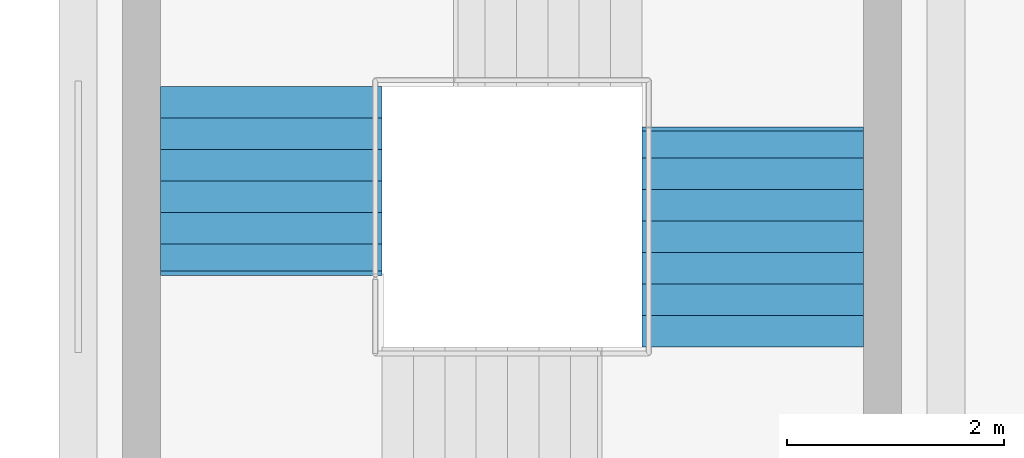
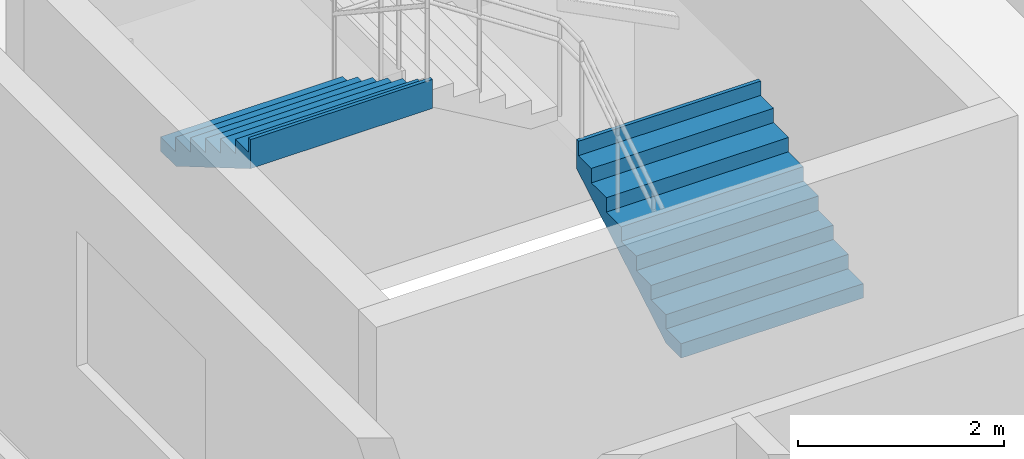
# One storey, part 55 of 58: 2 stair flights, 1 element without a shape of its own.
"""IFC4 building model written with IfcOpenShell, lengths in metres."""

from ifc_helpers import new_model, si_unit, direction, frame, origin, place, context, subcontext, project, spatial, triangles, material, type_object, element, aggregate, save


model = new_model("IFC4")

# Units and contexts
model_context = context("Model", 3, precision=1e-05, world=origin(), true_north=direction((0.0, 1.0)))
body_context = subcontext(model_context, "Body", "Model", "MODEL_VIEW")
ifc_project = project(units=[si_unit("LENGTHUNIT", "METRE"), si_unit("AREAUNIT", "SQUARE_METRE"), si_unit("VOLUMEUNIT", "CUBIC_METRE"), si_unit("PLANEANGLEUNIT", "RADIAN"), si_unit("MASSUNIT", "GRAM", prefix="KILO")], contexts=[model_context])

# Site, building, storey
site_placement = place(None, origin())
site = spatial("IfcSite", under=ifc_project, at=site_placement, CompositionType="ELEMENT")
building_placement = place(site_placement, origin())
building = spatial("IfcBuilding", under=site, at=building_placement, Name="Sillaruma Civic Art Gallery", CompositionType="ELEMENT")
storey_placement = place(building_placement, frame((0.0, 0.0, 52.02001953125)))
storey = spatial("IfcBuildingStorey", under=building, at=storey_placement, Name="L10", CompositionType="ELEMENT", Elevation=52.02001953125)

# Stair, stair flights
ifc_material = material(Name="Concrete H35 (35 MPa)", Category="concrete")
stair_type = type_object("IfcStairType", Name="STR-4F-30", PredefinedType="USERDEFINED", material=ifc_material)
stair_placement = place(storey_placement, origin())
stair = element("IfcStair", 1, at=stair_placement, inside=storey, type_object=stair_type, Name="Protected Exit Stair ST-02 (West Bar North) (L10)", ObjectType="THREE_RETURN_STAIR", PredefinedType="USERDEFINED")
stair_flight_type_1 = type_object("IfcStairFlightType", Name="SFL-STR-7", PredefinedType="STRAIGHT", material=ifc_material)
stair_flight_1_placement = place(storey_placement, frame((63.780029296875, 85.35009765625, 3.909912109375), z_axis=(0.0, 0.0, 1.0), x_axis=(0.0, -1.0, 0.0)))
stair_flight_1 = element("IfcStairFlight", 2, at=stair_flight_1_placement, type_object=stair_flight_type_1, Name="ST-02 flight 4", NumberOfRisers=7, NumberOfTreads=6, PredefinedType="STRAIGHT", RiserHeight=0.17, TreadLength=0.29, context=body_context, shape_type="Tessellation", body=[
    triangles([(0.0, -1.02001953125, 0.0), (0.29, -1.02001953125, 0.0), (0.296404, -1.02001953125, 0.0), (0.58, -1.02001953125, 0.166246), (0.87, -1.02001953125, 0.336246), (1.16, -1.02001953125, 0.506246), (1.45, -1.02001953125, 0.676246), (1.69999, -1.02001953125, 0.822792), (1.73999, -1.02001953125, 0.84624), (1.73999, -1.02001953125, 1.19), (1.69999, -1.02001953125, 1.19), (1.69999, -1.02001953125, 1.02), (1.45, -1.02001953125, 1.02), (1.45, -1.02001953125, 0.85), (1.16, -1.02001953125, 0.85), (1.16, -1.02001953125, 0.68), (0.87, -1.02001953125, 0.68), (0.87, -1.02001953125, 0.51), (0.58, -1.02001953125, 0.51), (0.58, -1.02001953125, 0.34), (0.296404, -1.02001953125, 0.34), (0.29, -1.02001953125, 0.34), (0.29, -1.02001953125, 0.17), (0.0, -1.02001953125, 0.17), (0.0, -0.05, 0.0), (0.29, -0.05, 0.0), (0.296404, -0.05, 0.0), (0.58, -0.05, 0.166246), (0.87, -0.05, 0.336246), (1.16, -0.05, 0.506246), (1.45, -0.05, 0.676246), (1.69999, -0.05, 0.822792), (1.73999, -0.05, 0.84624), (1.73999, -0.05, 1.19), (1.69999, -0.05, 1.19), (1.69999, -0.05, 1.02), (1.45, -0.05, 1.02), (1.45, -0.05, 0.85), (1.16, -0.05, 0.85), (1.16, -0.05, 0.68), (0.87, -0.05, 0.68), (0.87, -0.05, 0.51), (0.58, -0.05, 0.51), (0.58, -0.05, 0.34), (0.296404, -0.05, 0.34), (0.29, -0.05, 0.34), (0.29, -0.05, 0.17), (0.0, -0.05, 0.17), (0.0, -0.0375, 0.0), (0.29, -0.0375, 0.0), (0.296404, -0.0375, 0.0), (0.58, -0.0375, 0.166246), (0.87, -0.0375, 0.336246), (1.16, -0.0375, 0.506246), (1.45, -0.0375, 0.676246), (1.69999, -0.0375, 0.822792), (1.73999, -0.0375, 0.84624), (1.73999, -0.0375, 1.19), (1.69999, -0.0375, 1.19), (1.69999, -0.0375, 1.02), (1.45, -0.0375, 1.02), (1.45, -0.0375, 0.85), (1.16, -0.0375, 0.85), (1.16, -0.0375, 0.68), (0.87, -0.0375, 0.68), (0.87, -0.0375, 0.51), (0.58, -0.0375, 0.51), (0.58, -0.0375, 0.34), (0.296404, -0.0375, 0.34), (0.29, -0.0375, 0.34), (0.29, -0.0375, 0.17), (0.0, -0.0375, 0.17), (0.0, -0.025, 0.0), (0.29, -0.025, 0.0), (0.296404, -0.025, 0.0), (0.58, -0.025, 0.166246), (0.87, -0.025, 0.336246), (1.16, -0.025, 0.506246), (1.45, -0.025, 0.676246), (1.69999, -0.025, 0.822792), (1.73999, -0.025, 0.84624), (1.73999, -0.025, 1.19), (1.69999, -0.025, 1.19), (1.69999, -0.025, 1.02), (1.45, -0.025, 1.02), (1.45, -0.025, 0.85), (1.16, -0.025, 0.85), (1.16, -0.025, 0.68), (0.87, -0.025, 0.68), (0.87, -0.025, 0.51), (0.58, -0.025, 0.51), (0.58, -0.025, 0.34), (0.296404, -0.025, 0.34), (0.29, -0.025, 0.34), (0.29, -0.025, 0.17), (0.0, -0.025, 0.17), (0.0, -0.0125, 0.0), (0.29, -0.0125, 0.0), (0.296404, -0.0125, 0.0), (0.58, -0.0125, 0.166246), (0.87, -0.0125, 0.336246), (1.16, -0.0125, 0.506246), (1.45, -0.0125, 0.676246), (1.69999, -0.0125, 0.822792), (1.73999, -0.0125, 0.84624), (1.73999, -0.0125, 1.19), (1.69999, -0.0125, 1.19), (1.69999, -0.0125, 1.02), (1.45, -0.0125, 1.02), (1.45, -0.0125, 0.85), (1.16, -0.0125, 0.85), (1.16, -0.0125, 0.68), (0.87, -0.0125, 0.68), (0.87, -0.0125, 0.51), (0.58, -0.0125, 0.51), (0.58, -0.0125, 0.34), (0.296404, -0.0125, 0.34), (0.29, -0.0125, 0.34), (0.29, -0.0125, 0.17), (0.0, -0.0125, 0.17), (0.0, 0.0, 0.0), (0.29, 0.0, 0.0), (0.296404, 0.0, 0.0), (0.58, 0.0, 0.166246), (0.87, 0.0, 0.336246), (1.16, 0.0, 0.506246), (1.45, 0.0, 0.676246), (1.69999, 0.0, 0.822792), (1.73999, 0.0, 0.84624), (1.73999, 0.0, 1.19), (1.69999, 0.0, 1.19), (1.69999, 0.0, 1.02), (1.45, 0.0, 1.02), (1.45, 0.0, 0.85), (1.16, 0.0, 0.85), (1.16, 0.0, 0.68), (0.87, 0.0, 0.68), (0.87, 0.0, 0.51), (0.58, 0.0, 0.51), (0.58, 0.0, 0.34), (0.296404, 0.0, 0.34), (0.29, 0.0, 0.34), (0.29, 0.0, 0.17), (0.0, 0.0, 0.17), (0.0, 0.0125, 0.0), (0.29, 0.0125, 0.0), (0.296404, 0.0125, 0.0), (0.58, 0.0125, 0.166246), (0.87, 0.0125, 0.336246), (1.16, 0.0125, 0.506246), (1.45, 0.0125, 0.676246), (1.69999, 0.0125, 0.822792), (1.73999, 0.0125, 0.84624), (1.73999, 0.0125, 1.19), (1.69999, 0.0125, 1.19), (1.69999, 0.0125, 1.02), (1.45, 0.0125, 1.02), (1.45, 0.0125, 0.85), (1.16, 0.0125, 0.85), (1.16, 0.0125, 0.68), (0.87, 0.0125, 0.68), (0.87, 0.0125, 0.51), (0.58, 0.0125, 0.51), (0.58, 0.0125, 0.34), (0.296404, 0.0125, 0.34), (0.29, 0.0125, 0.34), (0.29, 0.0125, 0.17), (0.0, 0.0125, 0.17), (0.0, 0.025, 0.0), (0.29, 0.025, 0.0), (0.296404, 0.025, 0.0), (0.58, 0.025, 0.166246), (0.87, 0.025, 0.336246), (1.16, 0.025, 0.506246), (1.45, 0.025, 0.676246), (1.69999, 0.025, 0.822792), (1.73999, 0.025, 0.84624), (1.73999, 0.025, 1.19), (1.69999, 0.025, 1.19), (1.69999, 0.025, 1.02), (1.45, 0.025, 1.02), (1.45, 0.025, 0.85), (1.16, 0.025, 0.85), (1.16, 0.025, 0.68), (0.87, 0.025, 0.68), (0.87, 0.025, 0.51), (0.58, 0.025, 0.51), (0.58, 0.025, 0.34), (0.296404, 0.025, 0.34), (0.29, 0.025, 0.34), (0.29, 0.025, 0.17), (0.0, 0.025, 0.17), (0.0, 0.0375, 0.0), (0.29, 0.0375, 0.0), (0.296404, 0.0375, 0.0), (0.58, 0.0375, 0.166246), (0.87, 0.0375, 0.336246), (1.16, 0.0375, 0.506246), (1.45, 0.0375, 0.676246), (1.69999, 0.0375, 0.822792), (1.73999, 0.0375, 0.84624), (1.73999, 0.0375, 1.19), (1.69999, 0.0375, 1.19), (1.69999, 0.0375, 1.02), (1.45, 0.0375, 1.02), (1.45, 0.0375, 0.85), (1.16, 0.0375, 0.85), (1.16, 0.0375, 0.68), (0.87, 0.0375, 0.68), (0.87, 0.0375, 0.51), (0.58, 0.0375, 0.51), (0.58, 0.0375, 0.34), (0.296404, 0.0375, 0.34), (0.29, 0.0375, 0.34), (0.29, 0.0375, 0.17), (0.0, 0.0375, 0.17), (0.0, 0.05, 0.0), (0.29, 0.05, 0.0), (0.296404, 0.05, 0.0), (0.58, 0.05, 0.166246), (0.87, 0.05, 0.336246), (1.16, 0.05, 0.506246), (1.45, 0.05, 0.676246), (1.69999, 0.05, 0.822792), (1.73999, 0.05, 0.84624), (1.73999, 0.05, 1.19), (1.69999, 0.05, 1.19), (1.69999, 0.05, 1.02), (1.45, 0.05, 1.02), (1.45, 0.05, 0.85), (1.16, 0.05, 0.85), (1.16, 0.05, 0.68), (0.87, 0.05, 0.68), (0.87, 0.05, 0.51), (0.58, 0.05, 0.51), (0.58, 0.05, 0.34), (0.296404, 0.05, 0.34), (0.29, 0.05, 0.34), (0.29, 0.05, 0.17), (0.0, 0.05, 0.17), (0.0, 1.02001953125, 0.0), (0.29, 1.02001953125, 0.0), (0.296404, 1.02001953125, 0.0), (0.58, 1.02001953125, 0.166246), (0.87, 1.02001953125, 0.336246), (1.16, 1.02001953125, 0.506246), (1.45, 1.02001953125, 0.676246), (1.69999, 1.02001953125, 0.822792), (1.73999, 1.02001953125, 0.84624), (1.73999, 1.02001953125, 1.19), (1.69999, 1.02001953125, 1.19), (1.69999, 1.02001953125, 1.02), (1.45, 1.02001953125, 1.02), (1.45, 1.02001953125, 0.85), (1.16, 1.02001953125, 0.85), (1.16, 1.02001953125, 0.68), (0.87, 1.02001953125, 0.68), (0.87, 1.02001953125, 0.51), (0.58, 1.02001953125, 0.51), (0.58, 1.02001953125, 0.34), (0.296404, 1.02001953125, 0.34), (0.29, 1.02001953125, 0.34), (0.29, 1.02001953125, 0.17), (0.0, 1.02001953125, 0.17)], [[1, 2, 23], [1, 23, 24], [2, 3, 21], [2, 21, 23], [23, 21, 22], [3, 4, 20], [3, 20, 21], [4, 5, 18], [4, 18, 20], [20, 18, 19], [5, 6, 16], [5, 16, 18], [18, 16, 17], [6, 7, 14], [6, 14, 16], [16, 14, 15], [7, 8, 12], [7, 12, 14], [14, 12, 13], [8, 9, 10], [8, 10, 12], [12, 10, 11], [263, 242, 241], [264, 263, 241], [261, 243, 242], [263, 261, 242], [262, 261, 263], [260, 244, 243], [261, 260, 243], [258, 245, 244], [260, 258, 244], [259, 258, 260], [256, 246, 245], [258, 256, 245], [257, 256, 258], [254, 247, 246], [256, 254, 246], [255, 254, 256], [252, 248, 247], [254, 252, 247], [253, 252, 254], [250, 249, 248], [252, 250, 248], [251, 250, 252], [2, 1, 25], [2, 25, 26], [3, 2, 26], [3, 26, 27], [4, 3, 27], [4, 27, 28], [5, 4, 28], [5, 28, 29], [6, 5, 29], [6, 29, 30], [7, 6, 30], [7, 30, 31], [8, 7, 31], [8, 31, 32], [9, 8, 32], [9, 32, 33], [10, 9, 33], [10, 33, 34], [11, 10, 34], [11, 34, 35], [12, 11, 35], [12, 35, 36], [13, 12, 36], [13, 36, 37], [14, 13, 37], [14, 37, 38], [15, 14, 38], [15, 38, 39], [16, 15, 39], [16, 39, 40], [17, 16, 40], [17, 40, 41], [18, 17, 41], [18, 41, 42], [19, 18, 42], [19, 42, 43], [20, 19, 43], [20, 43, 44], [21, 20, 44], [21, 44, 45], [22, 21, 45], [22, 45, 46], [23, 22, 46], [23, 46, 47], [24, 23, 47], [24, 47, 48], [1, 24, 48], [1, 48, 25], [26, 25, 49], [26, 49, 50], [27, 26, 50], [27, 50, 51], [28, 27, 51], [28, 51, 52], [29, 28, 52], [29, 52, 53], [30, 29, 53], [30, 53, 54], [31, 30, 54], [31, 54, 55], [32, 31, 55], [32, 55, 56], [33, 32, 56], [33, 56, 57], [34, 33, 57], [34, 57, 58], [35, 34, 58], [35, 58, 59], [36, 35, 59], [36, 59, 60], [37, 36, 60], [37, 60, 61], [38, 37, 61], [38, 61, 62], [39, 38, 62], [39, 62, 63], [40, 39, 63], [40, 63, 64], [41, 40, 64], [41, 64, 65], [42, 41, 65], [42, 65, 66], [43, 42, 66], [43, 66, 67], [44, 43, 67], [44, 67, 68], [45, 44, 68], [45, 68, 69], [46, 45, 69], [46, 69, 70], [47, 46, 70], [47, 70, 71], [48, 47, 71], [48, 71, 72], [25, 48, 72], [25, 72, 49], [50, 49, 73], [50, 73, 74], [51, 50, 74], [51, 74, 75], [52, 51, 75], [52, 75, 76], [53, 52, 76], [53, 76, 77], [54, 53, 77], [54, 77, 78], [55, 54, 78], [55, 78, 79], [56, 55, 79], [56, 79, 80], [57, 56, 80], [57, 80, 81], [58, 57, 81], [58, 81, 82], [59, 58, 82], [59, 82, 83], [60, 59, 83], [60, 83, 84], [61, 60, 84], [61, 84, 85], [62, 61, 85], [62, 85, 86], [63, 62, 86], [63, 86, 87], [64, 63, 87], [64, 87, 88], [65, 64, 88], [65, 88, 89], [66, 65, 89], [66, 89, 90], [67, 66, 90], [67, 90, 91], [68, 67, 91], [68, 91, 92], [69, 68, 92], [69, 92, 93], [70, 69, 93], [70, 93, 94], [71, 70, 94], [71, 94, 95], [72, 71, 95], [72, 95, 96], [49, 72, 96], [49, 96, 73], [74, 73, 97], [74, 97, 98], [75, 74, 98], [75, 98, 99], [76, 75, 99], [76, 99, 100], [77, 76, 100], [77, 100, 101], [78, 77, 101], [78, 101, 102], [79, 78, 102], [79, 102, 103], [80, 79, 103], [80, 103, 104], [81, 80, 104], [81, 104, 105], [82, 81, 105], [82, 105, 106], [83, 82, 106], [83, 106, 107], [84, 83, 107], [84, 107, 108], [85, 84, 108], [85, 108, 109], [86, 85, 109], [86, 109, 110], [87, 86, 110], [87, 110, 111], [88, 87, 111], [88, 111, 112], [89, 88, 112], [89, 112, 113], [90, 89, 113], [90, 113, 114], [91, 90, 114], [91, 114, 115], [92, 91, 115], [92, 115, 116], [93, 92, 116], [93, 116, 117], [94, 93, 117], [94, 117, 118], [95, 94, 118], [95, 118, 119], [96, 95, 119], [96, 119, 120], [73, 96, 120], [73, 120, 97], [98, 97, 121], [98, 121, 122], [99, 98, 122], [99, 122, 123], [100, 99, 123], [100, 123, 124], [101, 100, 124], [101, 124, 125], [102, 101, 125], [102, 125, 126], [103, 102, 126], [103, 126, 127], [104, 103, 127], [104, 127, 128], [105, 104, 128], [105, 128, 129], [106, 105, 129], [106, 129, 130], [107, 106, 130], [107, 130, 131], [108, 107, 131], [108, 131, 132], [109, 108, 132], [109, 132, 133], [110, 109, 133], [110, 133, 134], [111, 110, 134], [111, 134, 135], [112, 111, 135], [112, 135, 136], [113, 112, 136], [113, 136, 137], [114, 113, 137], [114, 137, 138], [115, 114, 138], [115, 138, 139], [116, 115, 139], [116, 139, 140], [117, 116, 140], [117, 140, 141], [118, 117, 141], [118, 141, 142], [119, 118, 142], [119, 142, 143], [120, 119, 143], [120, 143, 144], [97, 120, 144], [97, 144, 121], [122, 121, 145], [122, 145, 146], [123, 122, 146], [123, 146, 147], [124, 123, 147], [124, 147, 148], [125, 124, 148], [125, 148, 149], [126, 125, 149], [126, 149, 150], [127, 126, 150], [127, 150, 151], [128, 127, 151], [128, 151, 152], [129, 128, 152], [129, 152, 153], [130, 129, 153], [130, 153, 154], [131, 130, 154], [131, 154, 155], [132, 131, 155], [132, 155, 156], [133, 132, 156], [133, 156, 157], [134, 133, 157], [134, 157, 158], [135, 134, 158], [135, 158, 159], [136, 135, 159], [136, 159, 160], [137, 136, 160], [137, 160, 161], [138, 137, 161], [138, 161, 162], [139, 138, 162], [139, 162, 163], [140, 139, 163], [140, 163, 164], [141, 140, 164], [141, 164, 165], [142, 141, 165], [142, 165, 166], [143, 142, 166], [143, 166, 167], [144, 143, 167], [144, 167, 168], [121, 144, 168], [121, 168, 145], [146, 145, 169], [146, 169, 170], [147, 146, 170], [147, 170, 171], [148, 147, 171], [148, 171, 172], [149, 148, 172], [149, 172, 173], [150, 149, 173], [150, 173, 174], [151, 150, 174], [151, 174, 175], [152, 151, 175], [152, 175, 176], [153, 152, 176], [153, 176, 177], [154, 153, 177], [154, 177, 178], [155, 154, 178], [155, 178, 179], [156, 155, 179], [156, 179, 180], [157, 156, 180], [157, 180, 181], [158, 157, 181], [158, 181, 182], [159, 158, 182], [159, 182, 183], [160, 159, 183], [160, 183, 184], [161, 160, 184], [161, 184, 185], [162, 161, 185], [162, 185, 186], [163, 162, 186], [163, 186, 187], [164, 163, 187], [164, 187, 188], [165, 164, 188], [165, 188, 189], [166, 165, 189], [166, 189, 190], [167, 166, 190], [167, 190, 191], [168, 167, 191], [168, 191, 192], [145, 168, 192], [145, 192, 169], [170, 169, 193], [170, 193, 194], [171, 170, 194], [171, 194, 195], [172, 171, 195], [172, 195, 196], [173, 172, 196], [173, 196, 197], [174, 173, 197], [174, 197, 198], [175, 174, 198], [175, 198, 199], [176, 175, 199], [176, 199, 200], [177, 176, 200], [177, 200, 201], [178, 177, 201], [178, 201, 202], [179, 178, 202], [179, 202, 203], [180, 179, 203], [180, 203, 204], [181, 180, 204], [181, 204, 205], [182, 181, 205], [182, 205, 206], [183, 182, 206], [183, 206, 207], [184, 183, 207], [184, 207, 208], [185, 184, 208], [185, 208, 209], [186, 185, 209], [186, 209, 210], [187, 186, 210], [187, 210, 211], [188, 187, 211], [188, 211, 212], [189, 188, 212], [189, 212, 213], [190, 189, 213], [190, 213, 214], [191, 190, 214], [191, 214, 215], [192, 191, 215], [192, 215, 216], [169, 192, 216], [169, 216, 193], [194, 193, 217], [194, 217, 218], [195, 194, 218], [195, 218, 219], [196, 195, 219], [196, 219, 220], [197, 196, 220], [197, 220, 221], [198, 197, 221], [198, 221, 222], [199, 198, 222], [199, 222, 223], [200, 199, 223], [200, 223, 224], [201, 200, 224], [201, 224, 225], [202, 201, 225], [202, 225, 226], [203, 202, 226], [203, 226, 227], [204, 203, 227], [204, 227, 228], [205, 204, 228], [205, 228, 229], [206, 205, 229], [206, 229, 230], [207, 206, 230], [207, 230, 231], [208, 207, 231], [208, 231, 232], [209, 208, 232], [209, 232, 233], [210, 209, 233], [210, 233, 234], [211, 210, 234], [211, 234, 235], [212, 211, 235], [212, 235, 236], [213, 212, 236], [213, 236, 237], [214, 213, 237], [214, 237, 238], [215, 214, 238], [215, 238, 239], [216, 215, 239], [216, 239, 240], [193, 216, 240], [193, 240, 217], [218, 217, 241], [218, 241, 242], [219, 218, 242], [219, 242, 243], [220, 219, 243], [220, 243, 244], [221, 220, 244], [221, 244, 245], [222, 221, 245], [222, 245, 246], [223, 222, 246], [223, 246, 247], [224, 223, 247], [224, 247, 248], [225, 224, 248], [225, 248, 249], [226, 225, 249], [226, 249, 250], [227, 226, 250], [227, 250, 251], [228, 227, 251], [228, 251, 252], [229, 228, 252], [229, 252, 253], [230, 229, 253], [230, 253, 254], [231, 230, 254], [231, 254, 255], [232, 231, 255], [232, 255, 256], [233, 232, 256], [233, 256, 257], [234, 233, 257], [234, 257, 258], [235, 234, 258], [235, 258, 259], [236, 235, 259], [236, 259, 260], [237, 236, 260], [237, 260, 261], [238, 237, 261], [238, 261, 262], [239, 238, 262], [239, 262, 263], [240, 239, 263], [240, 263, 264], [217, 240, 264], [217, 264, 241]], closed=True),
])
stair_flight_type_2 = type_object("IfcStairFlightType", Name="SFL-STR-8", PredefinedType="STRAIGHT", material=ifc_material)
stair_flight_2_placement = place(storey_placement, frame((68.219970703125, 82.949951171875, 1.35986328125), z_axis=(0.0, 0.0, 1.0), x_axis=(0.0, 1.0, 0.0)))
stair_flight_2 = element("IfcStairFlight", 3, at=stair_flight_2_placement, type_object=stair_flight_type_2, Name="ST-02 flight 2", NumberOfRisers=8, NumberOfTreads=7, PredefinedType="STRAIGHT", RiserHeight=0.17, TreadLength=0.29, context=body_context, shape_type="Tessellation", body=[
    triangles([(0.0, -1.02001953125, 0.0), (0.29, -1.02001953125, 0.0), (0.296443, -1.02001953125, 0.0), (0.58, -1.02001953125, 0.166223), (0.87, -1.02001953125, 0.336223), (1.16, -1.02001953125, 0.506223), (1.45, -1.02001953125, 0.676223), (1.74, -1.02001953125, 0.846223), (1.990029, -1.02001953125, 0.992792), (2.030029, -1.02001953125, 1.01624), (2.030029, -1.02001953125, 1.36), (1.990029, -1.02001953125, 1.36), (1.990029, -1.02001953125, 1.19), (1.74, -1.02001953125, 1.19), (1.74, -1.02001953125, 1.02), (1.45, -1.02001953125, 1.02), (1.45, -1.02001953125, 0.85), (1.16, -1.02001953125, 0.85), (1.16, -1.02001953125, 0.68), (0.87, -1.02001953125, 0.68), (0.87, -1.02001953125, 0.51), (0.58, -1.02001953125, 0.51), (0.58, -1.02001953125, 0.34), (0.296443, -1.02001953125, 0.34), (0.29, -1.02001953125, 0.34), (0.29, -1.02001953125, 0.17), (0.0, -1.02001953125, 0.17), (0.0, -0.05, 0.0), (0.29, -0.05, 0.0), (0.296443, -0.05, 0.0), (0.58, -0.05, 0.166223), (0.87, -0.05, 0.336223), (1.16, -0.05, 0.506223), (1.45, -0.05, 0.676223), (1.74, -0.05, 0.846223), (1.990029, -0.05, 0.992792), (2.030029, -0.05, 1.01624), (2.030029, -0.05, 1.36), (1.990029, -0.05, 1.36), (1.990029, -0.05, 1.19), (1.74, -0.05, 1.19), (1.74, -0.05, 1.02), (1.45, -0.05, 1.02), (1.45, -0.05, 0.85), (1.16, -0.05, 0.85), (1.16, -0.05, 0.68), (0.87, -0.05, 0.68), (0.87, -0.05, 0.51), (0.58, -0.05, 0.51), (0.58, -0.05, 0.34), (0.296443, -0.05, 0.34), (0.29, -0.05, 0.34), (0.29, -0.05, 0.17), (0.0, -0.05, 0.17), (0.0, -0.0375, 0.0), (0.29, -0.0375, 0.0), (0.296443, -0.0375, 0.0), (0.58, -0.0375, 0.166223), (0.87, -0.0375, 0.336223), (1.16, -0.0375, 0.506223), (1.45, -0.0375, 0.676223), (1.74, -0.0375, 0.846223), (1.990029, -0.0375, 0.992792), (2.030029, -0.0375, 1.01624), (2.030029, -0.0375, 1.36), (1.990029, -0.0375, 1.36), (1.990029, -0.0375, 1.19), (1.74, -0.0375, 1.19), (1.74, -0.0375, 1.02), (1.45, -0.0375, 1.02), (1.45, -0.0375, 0.85), (1.16, -0.0375, 0.85), (1.16, -0.0375, 0.68), (0.87, -0.0375, 0.68), (0.87, -0.0375, 0.51), (0.58, -0.0375, 0.51), (0.58, -0.0375, 0.34), (0.296443, -0.0375, 0.34), (0.29, -0.0375, 0.34), (0.29, -0.0375, 0.17), (0.0, -0.0375, 0.17), (0.0, -0.025, 0.0), (0.29, -0.025, 0.0), (0.296443, -0.025, 0.0), (0.58, -0.025, 0.166223), (0.87, -0.025, 0.336223), (1.16, -0.025, 0.506223), (1.45, -0.025, 0.676223), (1.74, -0.025, 0.846223), (1.990029, -0.025, 0.992792), (2.030029, -0.025, 1.01624), (2.030029, -0.025, 1.36), (1.990029, -0.025, 1.36), (1.990029, -0.025, 1.19), (1.74, -0.025, 1.19), (1.74, -0.025, 1.02), (1.45, -0.025, 1.02), (1.45, -0.025, 0.85), (1.16, -0.025, 0.85), (1.16, -0.025, 0.68), (0.87, -0.025, 0.68), (0.87, -0.025, 0.51), (0.58, -0.025, 0.51), (0.58, -0.025, 0.34), (0.296443, -0.025, 0.34), (0.29, -0.025, 0.34), (0.29, -0.025, 0.17), (0.0, -0.025, 0.17), (0.0, -0.0125, 0.0), (0.29, -0.0125, 0.0), (0.296443, -0.0125, 0.0), (0.58, -0.0125, 0.166223), (0.87, -0.0125, 0.336223), (1.16, -0.0125, 0.506223), (1.45, -0.0125, 0.676223), (1.74, -0.0125, 0.846223), (1.990029, -0.0125, 0.992792), (2.030029, -0.0125, 1.01624), (2.030029, -0.0125, 1.36), (1.990029, -0.0125, 1.36), (1.990029, -0.0125, 1.19), (1.74, -0.0125, 1.19), (1.74, -0.0125, 1.02), (1.45, -0.0125, 1.02), (1.45, -0.0125, 0.85), (1.16, -0.0125, 0.85), (1.16, -0.0125, 0.68), (0.87, -0.0125, 0.68), (0.87, -0.0125, 0.51), (0.58, -0.0125, 0.51), (0.58, -0.0125, 0.34), (0.296443, -0.0125, 0.34), (0.29, -0.0125, 0.34), (0.29, -0.0125, 0.17), (0.0, -0.0125, 0.17), (0.0, 0.0, 0.0), (0.29, 0.0, 0.0), (0.296443, 0.0, 0.0), (0.58, 0.0, 0.166223), (0.87, 0.0, 0.336223), (1.16, 0.0, 0.506223), (1.45, 0.0, 0.676223), (1.74, 0.0, 0.846223), (1.990029, 0.0, 0.992792), (2.030029, 0.0, 1.01624), (2.030029, 0.0, 1.36), (1.990029, 0.0, 1.36), (1.990029, 0.0, 1.19), (1.74, 0.0, 1.19), (1.74, 0.0, 1.02), (1.45, 0.0, 1.02), (1.45, 0.0, 0.85), (1.16, 0.0, 0.85), (1.16, 0.0, 0.68), (0.87, 0.0, 0.68), (0.87, 0.0, 0.51), (0.58, 0.0, 0.51), (0.58, 0.0, 0.34), (0.296443, 0.0, 0.34), (0.29, 0.0, 0.34), (0.29, 0.0, 0.17), (0.0, 0.0, 0.17), (0.0, 0.0125, 0.0), (0.29, 0.0125, 0.0), (0.296443, 0.0125, 0.0), (0.58, 0.0125, 0.166223), (0.87, 0.0125, 0.336223), (1.16, 0.0125, 0.506223), (1.45, 0.0125, 0.676223), (1.74, 0.0125, 0.846223), (1.990029, 0.0125, 0.992792), (2.030029, 0.0125, 1.01624), (2.030029, 0.0125, 1.36), (1.990029, 0.0125, 1.36), (1.990029, 0.0125, 1.19), (1.74, 0.0125, 1.19), (1.74, 0.0125, 1.02), (1.45, 0.0125, 1.02), (1.45, 0.0125, 0.85), (1.16, 0.0125, 0.85), (1.16, 0.0125, 0.68), (0.87, 0.0125, 0.68), (0.87, 0.0125, 0.51), (0.58, 0.0125, 0.51), (0.58, 0.0125, 0.34), (0.296443, 0.0125, 0.34), (0.29, 0.0125, 0.34), (0.29, 0.0125, 0.17), (0.0, 0.0125, 0.17), (0.0, 0.025, 0.0), (0.29, 0.025, 0.0), (0.296443, 0.025, 0.0), (0.58, 0.025, 0.166223), (0.87, 0.025, 0.336223), (1.16, 0.025, 0.506223), (1.45, 0.025, 0.676223), (1.74, 0.025, 0.846223), (1.990029, 0.025, 0.992792), (2.030029, 0.025, 1.01624), (2.030029, 0.025, 1.36), (1.990029, 0.025, 1.36), (1.990029, 0.025, 1.19), (1.74, 0.025, 1.19), (1.74, 0.025, 1.02), (1.45, 0.025, 1.02), (1.45, 0.025, 0.85), (1.16, 0.025, 0.85), (1.16, 0.025, 0.68), (0.87, 0.025, 0.68), (0.87, 0.025, 0.51), (0.58, 0.025, 0.51), (0.58, 0.025, 0.34), (0.296443, 0.025, 0.34), (0.29, 0.025, 0.34), (0.29, 0.025, 0.17), (0.0, 0.025, 0.17), (0.0, 0.0375, 0.0), (0.29, 0.0375, 0.0), (0.296443, 0.0375, 0.0), (0.58, 0.0375, 0.166223), (0.87, 0.0375, 0.336223), (1.16, 0.0375, 0.506223), (1.45, 0.0375, 0.676223), (1.74, 0.0375, 0.846223), (1.990029, 0.0375, 0.992792), (2.030029, 0.0375, 1.01624), (2.030029, 0.0375, 1.36), (1.990029, 0.0375, 1.36), (1.990029, 0.0375, 1.19), (1.74, 0.0375, 1.19), (1.74, 0.0375, 1.02), (1.45, 0.0375, 1.02), (1.45, 0.0375, 0.85), (1.16, 0.0375, 0.85), (1.16, 0.0375, 0.68), (0.87, 0.0375, 0.68), (0.87, 0.0375, 0.51), (0.58, 0.0375, 0.51), (0.58, 0.0375, 0.34), (0.296443, 0.0375, 0.34), (0.29, 0.0375, 0.34), (0.29, 0.0375, 0.17), (0.0, 0.0375, 0.17), (0.0, 0.05, 0.0), (0.29, 0.05, 0.0), (0.296443, 0.05, 0.0), (0.58, 0.05, 0.166223), (0.87, 0.05, 0.336223), (1.16, 0.05, 0.506223), (1.45, 0.05, 0.676223), (1.74, 0.05, 0.846223), (1.990029, 0.05, 0.992792), (2.030029, 0.05, 1.01624), (2.030029, 0.05, 1.36), (1.990029, 0.05, 1.36), (1.990029, 0.05, 1.19), (1.74, 0.05, 1.19), (1.74, 0.05, 1.02), (1.45, 0.05, 1.02), (1.45, 0.05, 0.85), (1.16, 0.05, 0.85), (1.16, 0.05, 0.68), (0.87, 0.05, 0.68), (0.87, 0.05, 0.51), (0.58, 0.05, 0.51), (0.58, 0.05, 0.34), (0.296443, 0.05, 0.34), (0.29, 0.05, 0.34), (0.29, 0.05, 0.17), (0.0, 0.05, 0.17), (0.0, 1.02001953125, 0.0), (0.29, 1.02001953125, 0.0), (0.296443, 1.02001953125, 0.0), (0.58, 1.02001953125, 0.166223), (0.87, 1.02001953125, 0.336223), (1.16, 1.02001953125, 0.506223), (1.45, 1.02001953125, 0.676223), (1.74, 1.02001953125, 0.846223), (1.990029, 1.02001953125, 0.992792), (2.030029, 1.02001953125, 1.01624), (2.030029, 1.02001953125, 1.36), (1.990029, 1.02001953125, 1.36), (1.990029, 1.02001953125, 1.19), (1.74, 1.02001953125, 1.19), (1.74, 1.02001953125, 1.02), (1.45, 1.02001953125, 1.02), (1.45, 1.02001953125, 0.85), (1.16, 1.02001953125, 0.85), (1.16, 1.02001953125, 0.68), (0.87, 1.02001953125, 0.68), (0.87, 1.02001953125, 0.51), (0.58, 1.02001953125, 0.51), (0.58, 1.02001953125, 0.34), (0.296443, 1.02001953125, 0.34), (0.29, 1.02001953125, 0.34), (0.29, 1.02001953125, 0.17), (0.0, 1.02001953125, 0.17)], [[1, 2, 26], [1, 26, 27], [2, 3, 24], [2, 24, 26], [26, 24, 25], [3, 4, 23], [3, 23, 24], [4, 5, 21], [4, 21, 23], [23, 21, 22], [5, 6, 19], [5, 19, 21], [21, 19, 20], [6, 7, 17], [6, 17, 19], [19, 17, 18], [7, 8, 15], [7, 15, 17], [17, 15, 16], [8, 9, 13], [8, 13, 15], [15, 13, 14], [9, 10, 11], [9, 11, 13], [13, 11, 12], [296, 272, 271], [297, 296, 271], [294, 273, 272], [296, 294, 272], [295, 294, 296], [293, 274, 273], [294, 293, 273], [291, 275, 274], [293, 291, 274], [292, 291, 293], [289, 276, 275], [291, 289, 275], [290, 289, 291], [287, 277, 276], [289, 287, 276], [288, 287, 289], [285, 278, 277], [287, 285, 277], [286, 285, 287], [283, 279, 278], [285, 283, 278], [284, 283, 285], [281, 280, 279], [283, 281, 279], [282, 281, 283], [2, 1, 28], [2, 28, 29], [3, 2, 29], [3, 29, 30], [4, 3, 30], [4, 30, 31], [5, 4, 31], [5, 31, 32], [6, 5, 32], [6, 32, 33], [7, 6, 33], [7, 33, 34], [8, 7, 34], [8, 34, 35], [9, 8, 35], [9, 35, 36], [10, 9, 36], [10, 36, 37], [11, 10, 37], [11, 37, 38], [12, 11, 38], [12, 38, 39], [13, 12, 39], [13, 39, 40], [14, 13, 40], [14, 40, 41], [15, 14, 41], [15, 41, 42], [16, 15, 42], [16, 42, 43], [17, 16, 43], [17, 43, 44], [18, 17, 44], [18, 44, 45], [19, 18, 45], [19, 45, 46], [20, 19, 46], [20, 46, 47], [21, 20, 47], [21, 47, 48], [22, 21, 48], [22, 48, 49], [23, 22, 49], [23, 49, 50], [24, 23, 50], [24, 50, 51], [25, 24, 51], [25, 51, 52], [26, 25, 52], [26, 52, 53], [27, 26, 53], [27, 53, 54], [1, 27, 54], [1, 54, 28], [29, 28, 55], [29, 55, 56], [30, 29, 56], [30, 56, 57], [31, 30, 57], [31, 57, 58], [32, 31, 58], [32, 58, 59], [33, 32, 59], [33, 59, 60], [34, 33, 60], [34, 60, 61], [35, 34, 61], [35, 61, 62], [36, 35, 62], [36, 62, 63], [37, 36, 63], [37, 63, 64], [38, 37, 64], [38, 64, 65], [39, 38, 65], [39, 65, 66], [40, 39, 66], [40, 66, 67], [41, 40, 67], [41, 67, 68], [42, 41, 68], [42, 68, 69], [43, 42, 69], [43, 69, 70], [44, 43, 70], [44, 70, 71], [45, 44, 71], [45, 71, 72], [46, 45, 72], [46, 72, 73], [47, 46, 73], [47, 73, 74], [48, 47, 74], [48, 74, 75], [49, 48, 75], [49, 75, 76], [50, 49, 76], [50, 76, 77], [51, 50, 77], [51, 77, 78], [52, 51, 78], [52, 78, 79], [53, 52, 79], [53, 79, 80], [54, 53, 80], [54, 80, 81], [28, 54, 81], [28, 81, 55], [56, 55, 82], [56, 82, 83], [57, 56, 83], [57, 83, 84], [58, 57, 84], [58, 84, 85], [59, 58, 85], [59, 85, 86], [60, 59, 86], [60, 86, 87], [61, 60, 87], [61, 87, 88], [62, 61, 88], [62, 88, 89], [63, 62, 89], [63, 89, 90], [64, 63, 90], [64, 90, 91], [65, 64, 91], [65, 91, 92], [66, 65, 92], [66, 92, 93], [67, 66, 93], [67, 93, 94], [68, 67, 94], [68, 94, 95], [69, 68, 95], [69, 95, 96], [70, 69, 96], [70, 96, 97], [71, 70, 97], [71, 97, 98], [72, 71, 98], [72, 98, 99], [73, 72, 99], [73, 99, 100], [74, 73, 100], [74, 100, 101], [75, 74, 101], [75, 101, 102], [76, 75, 102], [76, 102, 103], [77, 76, 103], [77, 103, 104], [78, 77, 104], [78, 104, 105], [79, 78, 105], [79, 105, 106], [80, 79, 106], [80, 106, 107], [81, 80, 107], [81, 107, 108], [55, 81, 108], [55, 108, 82], [83, 82, 109], [83, 109, 110], [84, 83, 110], [84, 110, 111], [85, 84, 111], [85, 111, 112], [86, 85, 112], [86, 112, 113], [87, 86, 113], [87, 113, 114], [88, 87, 114], [88, 114, 115], [89, 88, 115], [89, 115, 116], [90, 89, 116], [90, 116, 117], [91, 90, 117], [91, 117, 118], [92, 91, 118], [92, 118, 119], [93, 92, 119], [93, 119, 120], [94, 93, 120], [94, 120, 121], [95, 94, 121], [95, 121, 122], [96, 95, 122], [96, 122, 123], [97, 96, 123], [97, 123, 124], [98, 97, 124], [98, 124, 125], [99, 98, 125], [99, 125, 126], [100, 99, 126], [100, 126, 127], [101, 100, 127], [101, 127, 128], [102, 101, 128], [102, 128, 129], [103, 102, 129], [103, 129, 130], [104, 103, 130], [104, 130, 131], [105, 104, 131], [105, 131, 132], [106, 105, 132], [106, 132, 133], [107, 106, 133], [107, 133, 134], [108, 107, 134], [108, 134, 135], [82, 108, 135], [82, 135, 109], [110, 109, 136], [110, 136, 137], [111, 110, 137], [111, 137, 138], [112, 111, 138], [112, 138, 139], [113, 112, 139], [113, 139, 140], [114, 113, 140], [114, 140, 141], [115, 114, 141], [115, 141, 142], [116, 115, 142], [116, 142, 143], [117, 116, 143], [117, 143, 144], [118, 117, 144], [118, 144, 145], [119, 118, 145], [119, 145, 146], [120, 119, 146], [120, 146, 147], [121, 120, 147], [121, 147, 148], [122, 121, 148], [122, 148, 149], [123, 122, 149], [123, 149, 150], [124, 123, 150], [124, 150, 151], [125, 124, 151], [125, 151, 152], [126, 125, 152], [126, 152, 153], [127, 126, 153], [127, 153, 154], [128, 127, 154], [128, 154, 155], [129, 128, 155], [129, 155, 156], [130, 129, 156], [130, 156, 157], [131, 130, 157], [131, 157, 158], [132, 131, 158], [132, 158, 159], [133, 132, 159], [133, 159, 160], [134, 133, 160], [134, 160, 161], [135, 134, 161], [135, 161, 162], [109, 135, 162], [109, 162, 136], [137, 136, 163], [137, 163, 164], [138, 137, 164], [138, 164, 165], [139, 138, 165], [139, 165, 166], [140, 139, 166], [140, 166, 167], [141, 140, 167], [141, 167, 168], [142, 141, 168], [142, 168, 169], [143, 142, 169], [143, 169, 170], [144, 143, 170], [144, 170, 171], [145, 144, 171], [145, 171, 172], [146, 145, 172], [146, 172, 173], [147, 146, 173], [147, 173, 174], [148, 147, 174], [148, 174, 175], [149, 148, 175], [149, 175, 176], [150, 149, 176], [150, 176, 177], [151, 150, 177], [151, 177, 178], [152, 151, 178], [152, 178, 179], [153, 152, 179], [153, 179, 180], [154, 153, 180], [154, 180, 181], [155, 154, 181], [155, 181, 182], [156, 155, 182], [156, 182, 183], [157, 156, 183], [157, 183, 184], [158, 157, 184], [158, 184, 185], [159, 158, 185], [159, 185, 186], [160, 159, 186], [160, 186, 187], [161, 160, 187], [161, 187, 188], [162, 161, 188], [162, 188, 189], [136, 162, 189], [136, 189, 163], [164, 163, 190], [164, 190, 191], [165, 164, 191], [165, 191, 192], [166, 165, 192], [166, 192, 193], [167, 166, 193], [167, 193, 194], [168, 167, 194], [168, 194, 195], [169, 168, 195], [169, 195, 196], [170, 169, 196], [170, 196, 197], [171, 170, 197], [171, 197, 198], [172, 171, 198], [172, 198, 199], [173, 172, 199], [173, 199, 200], [174, 173, 200], [174, 200, 201], [175, 174, 201], [175, 201, 202], [176, 175, 202], [176, 202, 203], [177, 176, 203], [177, 203, 204], [178, 177, 204], [178, 204, 205], [179, 178, 205], [179, 205, 206], [180, 179, 206], [180, 206, 207], [181, 180, 207], [181, 207, 208], [182, 181, 208], [182, 208, 209], [183, 182, 209], [183, 209, 210], [184, 183, 210], [184, 210, 211], [185, 184, 211], [185, 211, 212], [186, 185, 212], [186, 212, 213], [187, 186, 213], [187, 213, 214], [188, 187, 214], [188, 214, 215], [189, 188, 215], [189, 215, 216], [163, 189, 216], [163, 216, 190], [191, 190, 217], [191, 217, 218], [192, 191, 218], [192, 218, 219], [193, 192, 219], [193, 219, 220], [194, 193, 220], [194, 220, 221], [195, 194, 221], [195, 221, 222], [196, 195, 222], [196, 222, 223], [197, 196, 223], [197, 223, 224], [198, 197, 224], [198, 224, 225], [199, 198, 225], [199, 225, 226], [200, 199, 226], [200, 226, 227], [201, 200, 227], [201, 227, 228], [202, 201, 228], [202, 228, 229], [203, 202, 229], [203, 229, 230], [204, 203, 230], [204, 230, 231], [205, 204, 231], [205, 231, 232], [206, 205, 232], [206, 232, 233], [207, 206, 233], [207, 233, 234], [208, 207, 234], [208, 234, 235], [209, 208, 235], [209, 235, 236], [210, 209, 236], [210, 236, 237], [211, 210, 237], [211, 237, 238], [212, 211, 238], [212, 238, 239], [213, 212, 239], [213, 239, 240], [214, 213, 240], [214, 240, 241], [215, 214, 241], [215, 241, 242], [216, 215, 242], [216, 242, 243], [190, 216, 243], [190, 243, 217], [218, 217, 244], [218, 244, 245], [219, 218, 245], [219, 245, 246], [220, 219, 246], [220, 246, 247], [221, 220, 247], [221, 247, 248], [222, 221, 248], [222, 248, 249], [223, 222, 249], [223, 249, 250], [224, 223, 250], [224, 250, 251], [225, 224, 251], [225, 251, 252], [226, 225, 252], [226, 252, 253], [227, 226, 253], [227, 253, 254], [228, 227, 254], [228, 254, 255], [229, 228, 255], [229, 255, 256], [230, 229, 256], [230, 256, 257], [231, 230, 257], [231, 257, 258], [232, 231, 258], [232, 258, 259], [233, 232, 259], [233, 259, 260], [234, 233, 260], [234, 260, 261], [235, 234, 261], [235, 261, 262], [236, 235, 262], [236, 262, 263], [237, 236, 263], [237, 263, 264], [238, 237, 264], [238, 264, 265], [239, 238, 265], [239, 265, 266], [240, 239, 266], [240, 266, 267], [241, 240, 267], [241, 267, 268], [242, 241, 268], [242, 268, 269], [243, 242, 269], [243, 269, 270], [217, 243, 270], [217, 270, 244], [245, 244, 271], [245, 271, 272], [246, 245, 272], [246, 272, 273], [247, 246, 273], [247, 273, 274], [248, 247, 274], [248, 274, 275], [249, 248, 275], [249, 275, 276], [250, 249, 276], [250, 276, 277], [251, 250, 277], [251, 277, 278], [252, 251, 278], [252, 278, 279], [253, 252, 279], [253, 279, 280], [254, 253, 280], [254, 280, 281], [255, 254, 281], [255, 281, 282], [256, 255, 282], [256, 282, 283], [257, 256, 283], [257, 283, 284], [258, 257, 284], [258, 284, 285], [259, 258, 285], [259, 285, 286], [260, 259, 286], [260, 286, 287], [261, 260, 287], [261, 287, 288], [262, 261, 288], [262, 288, 289], [263, 262, 289], [263, 289, 290], [264, 263, 290], [264, 290, 291], [265, 264, 291], [265, 291, 292], [266, 265, 292], [266, 292, 293], [267, 266, 293], [267, 293, 294], [268, 267, 294], [268, 294, 295], [269, 268, 295], [269, 295, 296], [270, 269, 296], [270, 296, 297], [244, 270, 297], [244, 297, 271]], closed=True),
])
aggregate(stair, [stair_flight_2, stair_flight_1])

save(model, "model.ifc")
